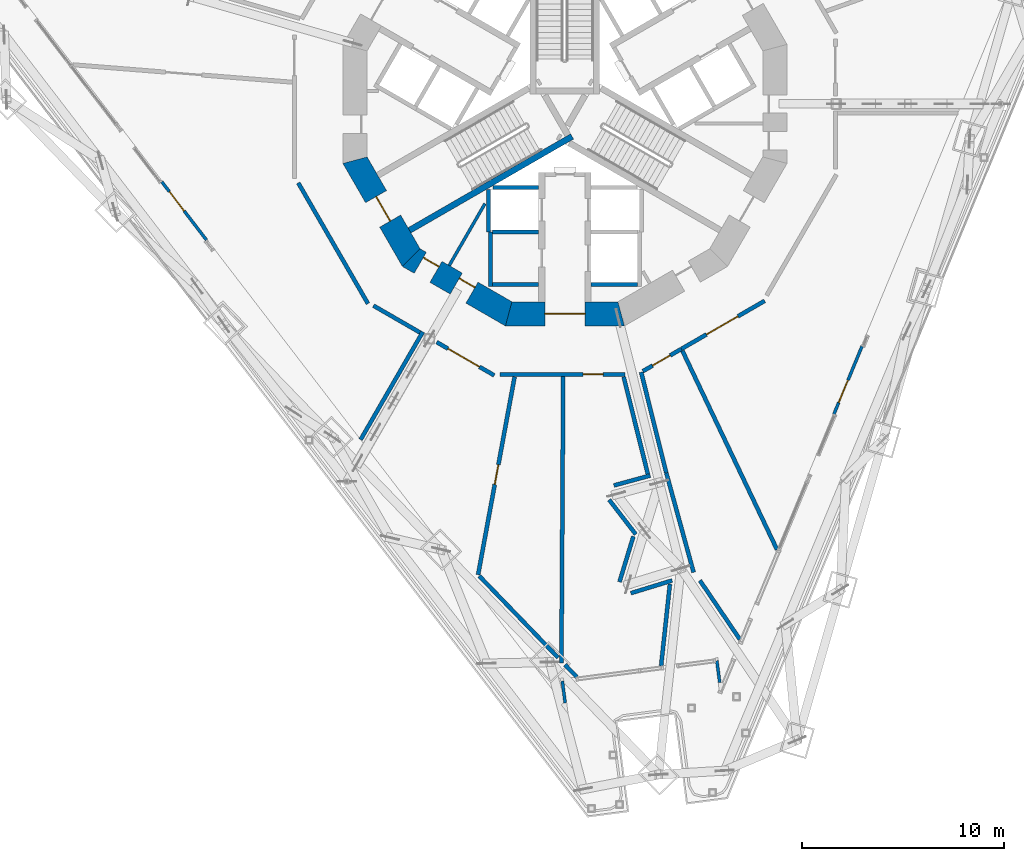
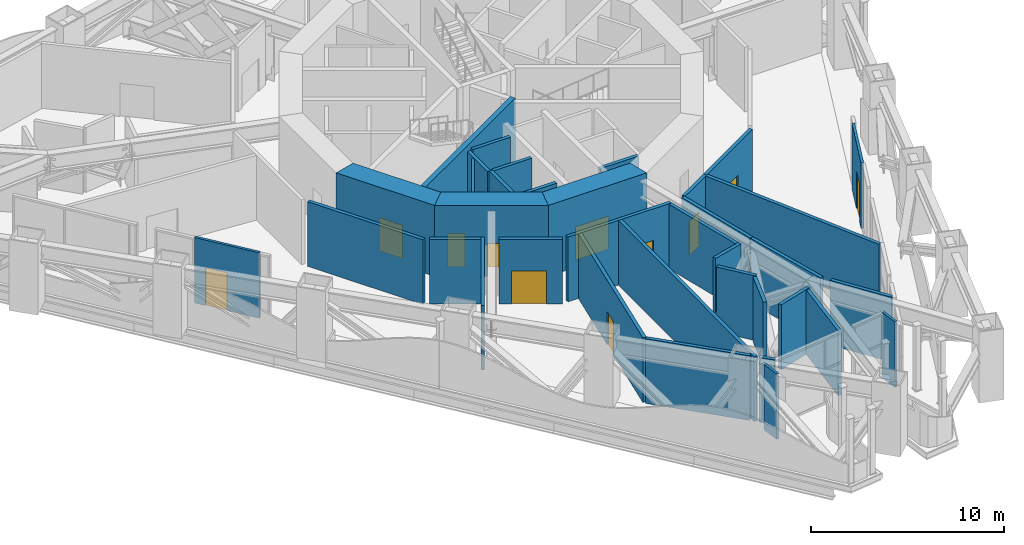
# One storey, part 17 of 31: 36 walls, 11 doors, 11 openings.
"""IFC4 building model written with IfcOpenShell, lengths in metres."""

from ifc_helpers import new_model, si_unit, direction, frame, frame_2d, origin, place, context, subcontext, project, spatial, polyline, rectangle, outline, extrude, material, layer, layer_set, type_object, element, fill, save


model = new_model("IFC4")

# Units and contexts
model_context = context("Model", 3, precision=1e-05, world=origin(), true_north=direction((0.0, 1.0)))
body_context = subcontext(model_context, "Body", "Model", "MODEL_VIEW")
ifc_project = project(units=[si_unit("LENGTHUNIT", "METRE"), si_unit("AREAUNIT", "SQUARE_METRE"), si_unit("VOLUMEUNIT", "CUBIC_METRE"), si_unit("PLANEANGLEUNIT", "RADIAN"), si_unit("MASSUNIT", "GRAM", prefix="KILO")], contexts=[model_context])

# Site, building, storey
site_placement = place(None, origin())
site = spatial("IfcSite", under=ifc_project, at=site_placement, CompositionType="ELEMENT")
building_placement = place(site_placement, origin())
building = spatial("IfcBuilding", under=site, at=building_placement, Name="Trine Commons Tower", CompositionType="ELEMENT")
storey_placement = place(building_placement, frame((0.0, 0.0, 82.800048828125)))
storey = spatial("IfcBuildingStorey", under=building, at=storey_placement, Name="L20", CompositionType="ELEMENT", Elevation=82.800048828125)

# Walls
ifc_material_1 = material(Name="Plasterboard partition on steel studs", Category="steel")
ifc_layer_1 = layer(ifc_material_1, 0.14990234375)
ifc_layer_set_1 = layer_set([ifc_layer_1], Name="Plasterboard partition on steel studs")
wall_type_1 = type_object("IfcWallType", Name="Core room partition 150 mm, EI 60", PredefinedType="PARTITIONING", material=ifc_layer_set_1)
wall_1_placement = place(storey_placement, frame((74.260986328125, 54.48388671875, 0.0), z_axis=(0.0, 0.0, 1.0), x_axis=(0.500062019353, 0.865989593933, 0.0)))
element("IfcWall", 1, at=wall_1_placement, inside=storey, type_object=wall_type_1, Name="Core room partition L20", PredefinedType="PARTITIONING", context=body_context, shape_type="SweptSolid", body=[
    extrude(rectangle(XDim=3.54736328125, YDim=0.14990234375, at=frame_2d((1.773681640625, 0.0))), origin(), (0.0, 0.0, 1.0), 4.14990234375),
])
ifc_material_2 = material(Name="Plasterboard on steel stud", Category="steel")
ifc_layer_2 = layer(ifc_material_2, 0.199951171875)
ifc_layer_set_2 = layer_set([ifc_layer_2], Name="Plasterboard on steel stud")
wall_type_2 = type_object("IfcWallType", Name="Fire wall 200 mm, EI 120", PredefinedType="PARTITIONING", material=ifc_layer_set_2)
wall_2_placement = place(storey_placement, frame((66.775146484375, 58.583251953125, 0.0), z_axis=(0.0, 0.0, 1.0), x_axis=(0.499997544974, -0.866026821189, 0.0)))
element("IfcWall", 2, at=wall_2_placement, inside=storey, type_object=wall_type_2, Name="Partition M20011", PredefinedType="PARTITIONING", context=body_context, shape_type="SweptSolid", body=[
    extrude(rectangle(XDim=6.9140625, YDim=0.199951171875, at=frame_2d((3.45703125, 0.0))), origin(), (0.0, 0.0, 1.0), 4.099853515625),
])
wall_3_placement = place(storey_placement, frame((69.867431640625, 45.849853515625, 0.0), z_axis=(0.0, 0.0, 1.0), x_axis=(0.499984964964, 0.866034084092, 0.0)))
element("IfcWall", 3, at=wall_3_placement, inside=storey, type_object=wall_type_2, Name="Partition M20013", PredefinedType="PARTITIONING", context=body_context, shape_type="SweptSolid", body=[
    extrude(rectangle(XDim=6.172119140625, YDim=0.199951171875, at=frame_2d((3.0859375, 0.0))), origin(), (0.0, 0.0, 1.0), 4.099853515625),
])
wall_4_placement = place(storey_placement, frame((70.50537109375, 52.495361328125, 0.0), z_axis=(0.0, 0.0, 1.0), x_axis=(0.866019327422, -0.500010524421, 0.0)))
element("IfcWall", 4, at=wall_4_placement, inside=storey, type_object=wall_type_2, Name="Partition M20014", PredefinedType="PARTITIONING", context=body_context, shape_type="SweptSolid", body=[
    extrude(rectangle(XDim=2.66552734375, YDim=0.199951171875, at=frame_2d((1.332763671875, 0.0))), origin(), (0.0, 0.0, 1.0), 4.099853515625),
])

# Wall, opening, door
wall_5_placement = place(storey_placement, frame((73.640625, 50.685302734375, 0.0), z_axis=(0.0, 0.0, 1.0), x_axis=(0.865999185644, -0.500045408402, 0.0)))
wall_5 = element("IfcWall", 5, at=wall_5_placement, inside=storey, type_object=wall_type_2, Name="Partition M20017", PredefinedType="PARTITIONING", context=body_context, shape_type="SweptSolid", body=[
    extrude(rectangle(XDim=3.293701171875, YDim=0.199951171875, at=frame_2d((1.64697265625, 0.0))), origin(), (0.0, 0.0, 1.0), 4.099853515625),
])
opening_1_placement = place(wall_5_placement, frame((0.646728515625, 0.0, 0.0)))
opening_1 = element("IfcOpeningElement", 6, at=opening_1_placement, cuts=wall_5, Name="Opening D-M2005", PredefinedType="OPENING", context=body_context, shape_type="SweptSolid", body=[
    extrude(rectangle(XDim=1.800048828125, YDim=2.10009765625, at=frame_2d((0.89990234375, 1.050048828125))), frame((0.0, 0.10986328125, 0.0), z_axis=(0.0, -1.0, 0.0), x_axis=(1.0, 0.0, 0.0)), (0.0, 0.0, 1.0), 0.219970703125),
])
ifc_material_3 = material(Name="Timber fire door set", Category="wood")
door_type_1 = type_object("IfcDoorType", Name="Double swing door 1800x2100, FD60", OperationType="DOUBLE_DOOR_DOUBLE_SWING", PredefinedType="DOOR", material=ifc_material_3)
door_1_placement = place(opening_1_placement, origin())
door_1 = element("IfcDoor", 7, at=door_1_placement, inside=storey, type_object=door_type_1, Name="Door D-M2005", OperationType="DOUBLE_DOOR_DOUBLE_SWING", OverallHeight=2.10009765625, OverallWidth=1.800048828125, PredefinedType="DOOR", context=body_context, shape_type="SweptSolid", body=[
    extrude(rectangle(XDim=1.800048828125, YDim=2.10009765625, at=frame_2d((0.89990234375, 1.050048828125))), frame((0.0, 0.02490234375, 0.0), z_axis=(0.0, -1.0, 0.0), x_axis=(1.0, 0.0, 0.0)), (0.0, 0.0, 1.0), 0.050048828125),
])
fill(opening_1, door_1)

wall_6_placement = place(storey_placement, frame((75.693603515625, 39.148681640625, 0.0), z_axis=(0.0, 0.0, 1.0), x_axis=(0.181360903969, 0.983416606791, 0.0)))
wall_6 = element("IfcWall", 8, at=wall_6_placement, inside=storey, type_object=wall_type_2, Name="Partition M20019", PredefinedType="PARTITIONING", context=body_context, shape_type="SweptSolid", body=[
    extrude(rectangle(XDim=9.987060546875, YDim=0.199951171875, at=frame_2d((4.99365234375, 0.0))), origin(), (0.0, 0.0, 1.0), 4.099853515625),
])
opening_2_placement = place(wall_6_placement, frame((4.553466796875, 0.0, 0.0)))
opening_2 = element("IfcOpeningElement", 9, at=opening_2_placement, cuts=wall_6, Name="Opening D-M2006", PredefinedType="OPENING", context=body_context, shape_type="SweptSolid", body=[
    extrude(rectangle(XDim=1.0, YDim=2.10009765625, at=frame_2d((0.5, 1.050048828125))), frame((0.0, 0.10986328125, 0.0), z_axis=(0.0, -1.0, 0.0), x_axis=(1.0, 0.0, 0.0)), (0.0, 0.0, 1.0), 0.219970703125),
])
door_type_2 = type_object("IfcDoorType", Name="Single swing door 1000x2100, FD60", OperationType="SINGLE_SWING_LEFT", PredefinedType="DOOR", material=ifc_material_3)
door_2_placement = place(opening_2_placement, origin())
door_2 = element("IfcDoor", 10, at=door_2_placement, inside=storey, type_object=door_type_2, Name="Door D-M2006", OperationType="SINGLE_SWING_LEFT", OverallHeight=2.10009765625, OverallWidth=1.0, PredefinedType="DOOR", context=body_context, shape_type="SweptSolid", body=[
    extrude(rectangle(XDim=1.0, YDim=2.10009765625, at=frame_2d((0.5, 1.050048828125))), frame((0.0, 0.02490234375, 0.0), z_axis=(0.0, -1.0, 0.0), x_axis=(1.0, 0.0, 0.0)), (0.0, 0.0, 1.0), 0.050048828125),
])
fill(opening_2, door_2)

# Wall
wall_7_placement = place(storey_placement, frame((75.7509765625, 39.08935546875, 0.0), z_axis=(0.0, 0.0, 1.0), x_axis=(0.694649512255, -0.719348354502, 0.0)))
element("IfcWall", 11, at=wall_7_placement, inside=storey, type_object=wall_type_2, Name="Partition M20020", PredefinedType="PARTITIONING", context=body_context, shape_type="SweptSolid", body=[
    extrude(rectangle(XDim=5.62451171875, YDim=0.199951171875, at=frame_2d((2.812255859375, 0.0))), origin(), (0.0, 0.0, 1.0), 4.099853515625),
])

# Wall, opening, door
wall_8_placement = place(storey_placement, frame((82.980224609375, 49.08837890625, 0.0), z_axis=(0.0, 0.0, 1.0), x_axis=(-1.0, 0.0, 0.0)))
wall_8 = element("IfcWall", 12, at=wall_8_placement, inside=storey, type_object=wall_type_2, Name="Partition M20021", PredefinedType="PARTITIONING", context=body_context, shape_type="SweptSolid", body=[
    extrude(rectangle(XDim=6.20068359375, YDim=0.199951171875, at=frame_2d((3.100341796875, 0.0))), origin(), (0.0, 0.0, 1.0), 4.099853515625),
])
opening_3_placement = place(wall_8_placement, frame((1.082275390625, 0.0, 0.0)))
opening_3 = element("IfcOpeningElement", 13, at=opening_3_placement, cuts=wall_8, Name="Opening D-M2007", PredefinedType="OPENING", context=body_context, shape_type="SweptSolid", body=[
    extrude(rectangle(XDim=1.0, YDim=2.10009765625, at=frame_2d((0.5, 1.050048828125))), frame((0.0, 0.10986328125, 0.0), z_axis=(0.0, -1.0, 0.0), x_axis=(1.0, 0.0, 0.0)), (0.0, 0.0, 1.0), 0.219970703125),
])
door_3_placement = place(opening_3_placement, origin())
door_3 = element("IfcDoor", 14, at=door_3_placement, inside=storey, type_object=door_type_2, Name="Door D-M2007", OperationType="SINGLE_SWING_LEFT", OverallHeight=2.10009765625, OverallWidth=1.0, PredefinedType="DOOR", context=body_context, shape_type="SweptSolid", body=[
    extrude(rectangle(XDim=1.0, YDim=2.10009765625, at=frame_2d((0.5, 1.050048828125))), frame((0.0, 0.02490234375, 0.0), z_axis=(0.0, -1.0, 0.0), x_axis=(1.0, 0.0, 0.0)), (0.0, 0.0, 1.0), 0.050048828125),
])
fill(opening_3, door_3)

# Walls
wall_9_placement = place(storey_placement, frame((79.826171875, 34.768798828125, 0.0), z_axis=(0.0, 0.0, 1.0), x_axis=(0.006266939653, 0.999980362541, 0.0)))
element("IfcWall", 15, at=wall_9_placement, inside=storey, type_object=wall_type_2, Name="Partition M20023", PredefinedType="PARTITIONING", context=body_context, shape_type="SweptSolid", body=[
    extrude(rectangle(XDim=14.21923828125, YDim=0.199951171875, at=frame_2d((7.109619140625, 0.0))), origin(), (0.0, 0.0, 1.0), 4.099853515625),
])
wall_10_placement = place(storey_placement, frame((79.99853515625, 34.69091796875, 0.0), z_axis=(0.0, 0.0, 1.0), x_axis=(0.694743754298, -0.71925733633, 0.0)))
element("IfcWall", 16, at=wall_10_placement, inside=storey, type_object=wall_type_2, Name="Partition M20024", PredefinedType="PARTITIONING", context=body_context, shape_type="SweptSolid", body=[
    extrude(rectangle(XDim=0.846435546875, YDim=0.199951171875, at=frame_2d((0.42333984375, 0.0))), origin(), (0.0, 0.0, 1.0), 4.099853515625),
])
wall_11_placement = place(storey_placement, frame((82.19189453125, 42.869873046875, 0.0), z_axis=(0.0, 0.0, 1.0), x_axis=(0.610534421129, -0.791989722545, 0.0)))
element("IfcWall", 17, at=wall_11_placement, inside=storey, type_object=wall_type_2, Name="Partition M20025", PredefinedType="PARTITIONING", context=body_context, shape_type="SweptSolid", body=[
    extrude(rectangle(XDim=2.162109375, YDim=0.199951171875, at=frame_2d((1.0810546875, 0.0))), origin(), (0.0, 0.0, 1.0), 4.099853515625),
])
wall_12_placement = place(storey_placement, frame((82.4296875, 43.57861328125, 0.0), z_axis=(0.0, 0.0, 1.0), x_axis=(0.964688480545, 0.263393499356, 0.0)))
element("IfcWall", 18, at=wall_12_placement, inside=storey, type_object=wall_type_2, Name="Partition M20026", PredefinedType="PARTITIONING", context=body_context, shape_type="SweptSolid", body=[
    extrude(rectangle(XDim=1.87060546875, YDim=0.199951171875, at=frame_2d((0.935302734375, 0.0))), origin(), (0.0, 0.0, 1.0), 4.099853515625),
])
wall_13_placement = place(storey_placement, frame((82.706787109375, 38.79638671875, 0.0), z_axis=(0.0, 0.0, 1.0), x_axis=(0.291639627834, 0.956528267997, 0.0)))
element("IfcWall", 19, at=wall_13_placement, inside=storey, type_object=wall_type_2, Name="Partition M20027", PredefinedType="PARTITIONING", context=body_context, shape_type="SweptSolid", body=[
    extrude(rectangle(XDim=2.357421875, YDim=0.199951171875, at=frame_2d((1.1787109375, 0.0))), origin(), (0.0, 0.0, 1.0), 4.099853515625),
])
wall_14_placement = place(storey_placement, frame((82.91162109375, 48.962158203125, 0.0), z_axis=(0.0, 0.0, 1.0), x_axis=(0.241910840869, -0.970298482463, 0.0)))
element("IfcWall", 20, at=wall_14_placement, inside=storey, type_object=wall_type_2, Name="Partition M20028", PredefinedType="PARTITIONING", context=body_context, shape_type="SweptSolid", body=[
    extrude(rectangle(XDim=4.96533203125, YDim=0.199951171875, at=frame_2d((2.482666015625, 0.0))), origin(), (0.0, 0.0, 1.0), 4.099853515625),
])
wall_15_placement = place(storey_placement, frame((83.26953125, 38.23681640625, 0.0), z_axis=(0.0, 0.0, 1.0), x_axis=(0.956061872921, 0.293164962344, 0.0)))
element("IfcWall", 21, at=wall_15_placement, inside=storey, type_object=wall_type_2, Name="Partition M20029", PredefinedType="PARTITIONING", context=body_context, shape_type="SweptSolid", body=[
    extrude(rectangle(XDim=2.142822265625, YDim=0.199951171875, at=frame_2d((1.0712890625, 0.0))), origin(), (0.0, 0.0, 1.0), 4.099853515625),
])

# Wall, opening, door
wall_16_placement = place(storey_placement, frame((85.77685546875, 50.348876953125, 0.0), z_axis=(0.0, 0.0, 1.0), x_axis=(-0.866045785103, -0.499964696859, 0.0)))
wall_16 = element("IfcWall", 22, at=wall_16_placement, inside=storey, type_object=wall_type_2, Name="Partition M20031", PredefinedType="PARTITIONING", context=body_context, shape_type="SweptSolid", body=[
    extrude(rectangle(XDim=2.210205078125, YDim=0.199951171875, at=frame_2d((1.10498046875, 0.0))), origin(), (0.0, 0.0, 1.0), 4.099853515625),
])
opening_4_placement = place(wall_16_placement, frame((0.650146484375, 0.0, 0.0)))
opening_4 = element("IfcOpeningElement", 23, at=opening_4_placement, cuts=wall_16, Name="Opening D-M2009", PredefinedType="OPENING", context=body_context, shape_type="SweptSolid", body=[
    extrude(rectangle(XDim=1.0, YDim=2.10009765625, at=frame_2d((0.5, 1.050048828125))), frame((0.0, 0.10986328125, 0.0), z_axis=(0.0, -1.0, 0.0), x_axis=(1.0, 0.0, 0.0)), (0.0, 0.0, 1.0), 0.219970703125),
])
door_4_placement = place(opening_4_placement, origin())
door_4 = element("IfcDoor", 24, at=door_4_placement, inside=storey, type_object=door_type_2, Name="Door D-M2009", OperationType="SINGLE_SWING_LEFT", OverallHeight=2.10009765625, OverallWidth=1.0, PredefinedType="DOOR", context=body_context, shape_type="SweptSolid", body=[
    extrude(rectangle(XDim=1.0, YDim=2.10009765625, at=frame_2d((0.5, 1.050048828125))), frame((0.0, 0.02490234375, 0.0), z_axis=(0.0, -1.0, 0.0), x_axis=(1.0, 0.0, 0.0)), (0.0, 0.0, 1.0), 0.050048828125),
])
fill(opening_4, door_4)

# Walls
wall_17_placement = place(storey_placement, frame((83.78125, 49.1943359375, 0.0), z_axis=(0.0, 0.0, 1.0), x_axis=(0.241909834927, -0.97029873326, 0.0)))
element("IfcWall", 25, at=wall_17_placement, inside=storey, type_object=wall_type_2, Name="Partition M20032", PredefinedType="PARTITIONING", context=body_context, shape_type="SweptSolid", body=[
    extrude(rectangle(XDim=5.140869140625, YDim=0.199951171875, at=frame_2d((2.5703125, 0.0))), origin(), (0.0, 0.0, 1.0), 4.099853515625),
])
wall_18_placement = place(storey_placement, frame((84.76953125, 34.632568359375, 0.0), z_axis=(0.0, 0.0, 1.0), x_axis=(0.107163387564, 0.994241423582, 0.0)))
element("IfcWall", 26, at=wall_18_placement, inside=storey, type_object=wall_type_2, Name="Partition M20033", PredefinedType="PARTITIONING", context=body_context, shape_type="SweptSolid", body=[
    extrude(rectangle(XDim=4.07568359375, YDim=0.199951171875, at=frame_2d((2.037841796875, 0.0))), origin(), (0.0, 0.0, 1.0), 4.099853515625),
])
wall_19_placement = place(storey_placement, frame((85.0263671875, 44.201171875, 0.0), z_axis=(0.0, 0.0, 1.0), x_axis=(0.264857995265, -0.964287427246, 0.0)))
element("IfcWall", 27, at=wall_19_placement, inside=storey, type_object=wall_type_2, Name="Partition M20034", PredefinedType="PARTITIONING", context=body_context, shape_type="SweptSolid", body=[
    extrude(rectangle(XDim=5.114013671875, YDim=0.199951171875, at=frame_2d((2.55712890625, 0.0))), origin(), (0.0, 0.0, 1.0), 4.099853515625),
])

# Wall, opening, door
wall_20_placement = place(storey_placement, frame((85.78076171875, 50.351318359375, 0.0), z_axis=(0.0, 0.0, 1.0), x_axis=(0.866025923222, 0.499999100306, 0.0)))
wall_20 = element("IfcWall", 28, at=wall_20_placement, inside=storey, type_object=wall_type_2, Name="Partition M20035", PredefinedType="PARTITIONING", context=body_context, shape_type="SweptSolid", body=[
    extrude(rectangle(XDim=4.76171875, YDim=0.199951171875, at=frame_2d((2.380859375, 0.0))), origin(), (0.0, 0.0, 1.0), 4.099853515625),
])
opening_5_placement = place(wall_20_placement, frame((1.430908203125, 0.0, 0.0)))
opening_5 = element("IfcOpeningElement", 29, at=opening_5_placement, cuts=wall_20, Name="Opening D-M2010", PredefinedType="OPENING", context=body_context, shape_type="SweptSolid", body=[
    extrude(rectangle(XDim=1.800048828125, YDim=2.10009765625, at=frame_2d((0.89990234375, 1.050048828125))), frame((0.0, 0.10986328125, 0.0), z_axis=(0.0, -1.0, 0.0), x_axis=(1.0, 0.0, 0.0)), (0.0, 0.0, 1.0), 0.219970703125),
])
door_5_placement = place(opening_5_placement, origin())
door_5 = element("IfcDoor", 30, at=door_5_placement, inside=storey, type_object=door_type_1, Name="Door D-M2010", OperationType="DOUBLE_DOOR_DOUBLE_SWING", OverallHeight=2.10009765625, OverallWidth=1.800048828125, PredefinedType="DOOR", context=body_context, shape_type="SweptSolid", body=[
    extrude(rectangle(XDim=1.800048828125, YDim=2.10009765625, at=frame_2d((0.89990234375, 1.050048828125))), frame((0.0, 0.02490234375, 0.0), z_axis=(0.0, -1.0, 0.0), x_axis=(1.0, 0.0, 0.0)), (0.0, 0.0, 1.0), 0.050048828125),
])
fill(opening_5, door_5)

# Walls
wall_21_placement = place(storey_placement, frame((85.82763671875, 50.253662109375, 0.0), z_axis=(0.0, 0.0, 1.0), x_axis=(0.429685296125, -0.902978707553, 0.0)))
element("IfcWall", 31, at=wall_21_placement, inside=storey, type_object=wall_type_2, Name="Partition M20036", PredefinedType="PARTITIONING", context=body_context, shape_type="SweptSolid", body=[
    extrude(rectangle(XDim=10.9169921875, YDim=0.199951171875, at=frame_2d((5.45849609375, 0.0))), origin(), (0.0, 0.0, 1.0), 4.099853515625),
])
wall_22_placement = place(storey_placement, frame((86.693603515625, 38.8662109375, 0.0), z_axis=(0.0, 0.0, 1.0), x_axis=(0.561359225684, -0.827572244423, 0.0)))
element("IfcWall", 32, at=wall_22_placement, inside=storey, type_object=wall_type_2, Name="Partition M20037", PredefinedType="PARTITIONING", context=body_context, shape_type="SweptSolid", body=[
    extrude(rectangle(XDim=3.527099609375, YDim=0.199951171875, at=frame_2d((1.763671875, 0.0))), origin(), (0.0, 0.0, 1.0), 4.099853515625),
])

# Wall, opening, door
ifc_material_4 = material(Name="Aluminium-framed insulated wall panel", Category="aluminium")
ifc_layer_3 = layer(ifc_material_4, 0.14990234375)
ifc_layer_set_3 = layer_set([ifc_layer_3], Name="Aluminium-framed insulated wall panel")
wall_type_3 = type_object("IfcWallType", Name="Glazed entrance wall 150, EI 60", PredefinedType="SOLIDWALL", material=ifc_layer_set_3)
wall_23_placement = place(storey_placement, frame((94.73388671875, 50.48095703125, 0.0), z_axis=(0.0, 0.0, 1.0), x_axis=(-0.382673332083, -0.92388371612, 0.0)))
wall_23 = element("IfcWall", 33, at=wall_23_placement, inside=storey, type_object=wall_type_3, Name="Glazed entrance wall L20 F2 9", PredefinedType="SOLIDWALL", context=body_context, shape_type="SweptSolid", body=[
    extrude(rectangle(XDim=3.6435546875, YDim=0.14990234375, at=frame_2d((1.82177734375, 0.0))), origin(), (0.0, 0.0, 1.0), 4.14990234375),
])
opening_6_placement = place(wall_23_placement, frame((1.82177734375, 0.0, 0.0)))
opening_6 = element("IfcOpeningElement", 34, at=opening_6_placement, cuts=wall_23, Name="Opening SD-L20-F2-09", PredefinedType="OPENING", context=body_context, shape_type="SweptSolid", body=[
    extrude(rectangle(XDim=1.199951171875, YDim=2.39990234375, at=frame_2d((0.60009765625, 1.199951171875))), frame((0.0, 0.0849609375, 0.0), z_axis=(0.0, -1.0, 0.0), x_axis=(1.0, 0.0, 0.0)), (0.0, 0.0, 1.0), 0.169921875),
])
ifc_material_5 = material(Name="Anodised aluminium frame with double glazing", Category="aluminium")
door_type_3 = type_object("IfcDoorType", Name="Sliding door 1200x2400", OperationType="SLIDING_TO_LEFT", PredefinedType="DOOR", material=ifc_material_5)
door_6_placement = place(opening_6_placement, origin())
door_6 = element("IfcDoor", 35, at=door_6_placement, inside=storey, type_object=door_type_3, Name="Loggia door L20 F2 9", OperationType="SLIDING_TO_LEFT", OverallHeight=2.39990234375, OverallWidth=1.199951171875, PredefinedType="DOOR", context=body_context, shape_type="SweptSolid", body=[
    extrude(rectangle(XDim=1.199951171875, YDim=2.39990234375, at=frame_2d((0.60009765625, 1.199951171875))), frame((0.0, 0.02490234375, 0.0), z_axis=(0.0, -1.0, 0.0), x_axis=(1.0, 0.0, 0.0)), (0.0, 0.0, 1.0), 0.050048828125),
])
fill(opening_6, door_6)

wall_24_placement = place(storey_placement, frame((62.224365234375, 55.74951171875, 0.0), z_axis=(0.0, 0.0, 1.0), x_axis=(-0.608764850532, 0.793350714852, 0.0)))
wall_24 = element("IfcWall", 36, at=wall_24_placement, inside=storey, type_object=wall_type_3, Name="Glazed entrance wall L20 F3 9", PredefinedType="SOLIDWALL", context=body_context, shape_type="SweptSolid", body=[
    extrude(rectangle(XDim=3.643798828125, YDim=0.14990234375, at=frame_2d((1.82177734375, 0.0))), origin(), (0.0, 0.0, 1.0), 4.14990234375),
])
opening_7_placement = place(wall_24_placement, frame((1.82177734375, 0.0, 0.0)))
opening_7 = element("IfcOpeningElement", 37, at=opening_7_placement, cuts=wall_24, Name="Opening SD-L20-F3-09", PredefinedType="OPENING", context=body_context, shape_type="SweptSolid", body=[
    extrude(rectangle(XDim=1.199951171875, YDim=2.39990234375, at=frame_2d((0.60009765625, 1.199951171875))), frame((0.0, 0.0849609375, 0.0), z_axis=(0.0, -1.0, 0.0), x_axis=(1.0, 0.0, 0.0)), (0.0, 0.0, 1.0), 0.169921875),
])
door_7_placement = place(opening_7_placement, origin())
door_7 = element("IfcDoor", 38, at=door_7_placement, inside=storey, type_object=door_type_3, Name="Loggia door L20 F3 9", OperationType="SLIDING_TO_LEFT", OverallHeight=2.39990234375, OverallWidth=1.199951171875, PredefinedType="DOOR", context=body_context, shape_type="SweptSolid", body=[
    extrude(rectangle(XDim=1.199951171875, YDim=2.39990234375, at=frame_2d((0.60009765625, 1.199951171875))), frame((0.0, 0.02490234375, 0.0), z_axis=(0.0, -1.0, 0.0), x_axis=(1.0, 0.0, 0.0)), (0.0, 0.0, 1.0), 0.050048828125),
])
fill(opening_7, door_7)

# Walls
ifc_layer_4 = layer(ifc_material_4, 0.14990234375)
ifc_layer_set_4 = layer_set([ifc_layer_4], Name="Aluminium-framed insulated wall panel")
wall_type_4 = type_object("IfcWallType", Name="Glazed frame wall 150, EI 60", PredefinedType="SOLIDWALL", material=ifc_layer_set_4)
wall_25_placement = place(storey_placement, frame((87.6953125, 33.6591796875, 0.0), z_axis=(0.0, 0.0, 1.0), x_axis=(-0.130510858064, 0.991446880033, 0.0)))
element("IfcWall", 39, at=wall_25_placement, inside=storey, type_object=wall_type_4, Name="Glazed frame wall L20 R9", PredefinedType="SOLIDWALL", context=body_context, shape_type="SweptSolid", body=[
    extrude(outline(polyline([(0.1494140625, 0.074951171875), (0.1494140625, -0.074951171875), (1.235107421875, -0.074951171875), (1.235107421875, 0.074951171875), (0.1494140625, 0.074951171875)])), origin(), (0.0, 0.0, 1.0), 4.14990234375),
])
wall_26_placement = place(storey_placement, frame((79.85595703125, 33.983642578125, 0.0), z_axis=(0.0, 0.0, 1.0), x_axis=(0.130510858064, -0.991446880033, 0.0)))
element("IfcWall", 40, at=wall_26_placement, inside=storey, type_object=wall_type_4, Name="Glazed frame wall L20 R11", PredefinedType="SOLIDWALL", context=body_context, shape_type="SweptSolid", body=[
    extrude(outline(polyline([(0.110107421875, 0.074951171875), (0.110107421875, -0.074951171875), (1.19580078125, -0.074951171875), (1.19580078125, 0.074951171875), (0.110107421875, 0.074951171875)])), origin(), (0.0, 0.0, 1.0), 4.14990234375),
])

# Wall, opening, door
ifc_material_6 = material(Name="Concrete C70/85", Category="concrete")
ifc_layer_5 = layer(ifc_material_6, 1.199951171875)
ifc_layer_set_5 = layer_set([ifc_layer_5], Name="Concrete C70/85")
wall_type_5 = type_object("IfcWallType", Name="RC shear wall 1200 mm, C70/85", PredefinedType="SHEAR", material=ifc_layer_set_5)
wall_27_placement = place(storey_placement, frame((69.508056640625, 59.849609375, 0.0), z_axis=(0.0, 0.0, 1.0), x_axis=(0.499979111662, -0.866037463336, 0.0)))
wall_27 = element("IfcWall", 41, at=wall_27_placement, inside=storey, type_object=wall_type_5, Name="Core wall CWC-08 L20", PredefinedType="SHEAR", context=body_context, shape_type="SweptSolid", body=[
    extrude(outline(polyline([(0.0, -0.60009765625), (5.901123046875, -0.60009765625), (5.57958984375, 0.60009765625), (0.321533203125, 0.60009765625), (0.0, -0.60009765625)])), origin(), (0.0, 0.0, 1.0), 4.5),
])
opening_8_placement = place(wall_27_placement, frame((2.25048828125, 0.0, 0.0)))
opening_8 = element("IfcOpeningElement", 42, at=opening_8_placement, cuts=wall_27, Name="Opening K08.02", PredefinedType="OPENING", context=body_context, shape_type="SweptSolid", body=[
    extrude(rectangle(XDim=1.39990234375, YDim=2.10009765625, at=frame_2d((0.699951171875, 1.050048828125))), frame((0.0, 0.60986328125, 0.0), z_axis=(0.0, -1.0, 0.0), x_axis=(1.0, 0.0, 0.0)), (0.0, 0.0, 1.0), 1.219970703125),
])
ifc_material_7 = material(Name="Steel door leaves, fire-rated", Category="steel")
door_type_4 = type_object("IfcDoorType", Name="Stair door, double leaf 1400 x 2100, FD90", OperationType="DOUBLE_DOOR_SINGLE_SWING", PredefinedType="DOOR", material=ifc_material_7)
door_8_placement = place(opening_8_placement, origin())
door_8 = element("IfcDoor", 43, at=door_8_placement, inside=storey, type_object=door_type_4, Name="Stair door to Exit stair ST2A L20", OperationType="DOUBLE_DOOR_SINGLE_SWING", OverallHeight=2.10009765625, OverallWidth=1.39990234375, PredefinedType="DOOR", context=body_context, shape_type="SweptSolid", body=[
    extrude(rectangle(XDim=1.39990234375, YDim=2.10009765625, at=frame_2d((0.699951171875, 1.050048828125))), frame((0.0, 0.02490234375, 0.0), z_axis=(0.0, -1.0, 0.0), x_axis=(1.0, 0.0, 0.0)), (0.0, 0.0, 1.0), 0.050048828125),
])
fill(opening_8, door_8)

# Wall, openings, doors
wall_28_placement = place(storey_placement, frame((72.239013671875, 54.95849609375, 0.0), z_axis=(0.0, 0.0, 1.0), x_axis=(0.866037463336, -0.499979111662, 0.0)))
wall_28 = element("IfcWall", 44, at=wall_28_placement, inside=storey, type_object=wall_type_5, Name="Core wall CWC-09 L20", PredefinedType="SHEAR", context=body_context, shape_type="SweptSolid", body=[
    extrude(outline(polyline([(0.0, -0.60009765625), (5.901123046875, -0.60009765625), (5.57958984375, 0.60009765625), (0.321533203125, 0.60009765625), (0.0, -0.60009765625)])), origin(), (0.0, 0.0, 1.0), 4.5),
])
opening_9_placement = place(wall_28_placement, frame((0.676513671875, 0.0, 0.0)))
opening_9 = element("IfcOpeningElement", 45, at=opening_9_placement, cuts=wall_28, Name="Opening K08.15", PredefinedType="OPENING", context=body_context, shape_type="SweptSolid", body=[
    extrude(rectangle(XDim=0.89990234375, YDim=2.10009765625, at=frame_2d((0.449951171875, 1.050048828125))), frame((0.0, 0.60986328125, 0.0), z_axis=(0.0, -1.0, 0.0), x_axis=(1.0, 0.0, 0.0)), (0.0, 0.0, 1.0), 1.219970703125),
])
opening_10_placement = place(wall_28_placement, frame((2.738525390625, 0.0, 0.0)))
opening_10 = element("IfcOpeningElement", 46, at=opening_10_placement, cuts=wall_28, Name="Opening K08.16", PredefinedType="OPENING", context=body_context, shape_type="SweptSolid", body=[
    extrude(rectangle(XDim=0.89990234375, YDim=2.10009765625, at=frame_2d((0.449951171875, 1.050048828125))), frame((0.0, 0.60986328125, 0.0), z_axis=(0.0, -1.0, 0.0), x_axis=(1.0, 0.0, 0.0)), (0.0, 0.0, 1.0), 1.219970703125),
])
ifc_material_8 = material(Name="Steel door leaf, fire-rated", Category="steel")
door_type_5 = type_object("IfcDoorType", Name="Core room door, single leaf 900 x 2100, FD30S", OperationType="SINGLE_SWING_LEFT", PredefinedType="DOOR", material=ifc_material_8)
door_9_placement = place(opening_9_placement, origin())
door_9 = element("IfcDoor", 47, at=door_9_placement, inside=storey, type_object=door_type_5, Name="Door to Pump room L20", OperationType="SINGLE_SWING_LEFT", OverallHeight=2.10009765625, OverallWidth=0.89990234375, PredefinedType="DOOR", context=body_context, shape_type="SweptSolid", body=[
    extrude(rectangle(XDim=0.89990234375, YDim=2.10009765625, at=frame_2d((0.449951171875, 1.050048828125))), frame((0.0, 0.3251953125, 0.0), z_axis=(0.0, -1.0, 0.0), x_axis=(1.0, 0.0, 0.0)), (0.0, 0.0, 1.0), 0.050048828125),
])
fill(opening_9, door_9)
door_10_placement = place(opening_10_placement, origin())
door_10 = element("IfcDoor", 48, at=door_10_placement, inside=storey, type_object=door_type_5, Name="Door to Comms room L20", OperationType="SINGLE_SWING_RIGHT", OverallHeight=2.10009765625, OverallWidth=0.89990234375, PredefinedType="DOOR", context=body_context, shape_type="SweptSolid", body=[
    extrude(rectangle(XDim=0.89990234375, YDim=2.10009765625, at=frame_2d((0.449951171875, 1.050048828125))), frame((0.0, 0.3251953125, 0.0), z_axis=(0.0, -1.0, 0.0), x_axis=(1.0, 0.0, 0.0)), (0.0, 0.0, 1.0), 0.050048828125),
])
fill(opening_10, door_10)

# Wall, opening, door
wall_29_placement = place(storey_placement, frame((77.049560546875, 52.08837890625, 0.0), z_axis=(0.0, 0.0, 1.0), x_axis=(1.0, 0.0, 0.0)))
wall_29 = element("IfcWall", 49, at=wall_29_placement, inside=storey, type_object=wall_type_5, Name="Core wall CWC-10 L20", PredefinedType="SHEAR", context=body_context, shape_type="SweptSolid", body=[
    extrude(outline(polyline([(0.0, -0.60009765625), (5.90087890625, -0.60009765625), (5.57958984375, 0.60009765625), (0.321533203125, 0.60009765625), (0.0, -0.60009765625)])), origin(), (0.0, 0.0, 1.0), 4.5),
])
opening_11_placement = place(wall_29_placement, frame((1.950439453125, 0.0, 0.0)))
opening_11 = element("IfcOpeningElement", 50, at=opening_11_placement, cuts=wall_29, Name="Opening K08.08", PredefinedType="OPENING", context=body_context, shape_type="SweptSolid", body=[
    extrude(rectangle(XDim=2.0, YDim=2.10009765625, at=frame_2d((1.0, 1.050048828125))), frame((0.0, 0.60986328125, 0.0), z_axis=(0.0, -1.0, 0.0), x_axis=(1.0, 0.0, 0.0)), (0.0, 0.0, 1.0), 1.219970703125),
])
door_type_6 = type_object("IfcDoorType", Name="Lobby door, double leaf 2000 x 2100, FD60", OperationType="DOUBLE_DOOR_SINGLE_SWING", PredefinedType="DOOR", material=ifc_material_7)
door_11_placement = place(opening_11_placement, origin())
door_11 = element("IfcDoor", 51, at=door_11_placement, inside=storey, type_object=door_type_6, Name="Lobby door, Service and firefighting lobby L20", OperationType="DOUBLE_DOOR_SINGLE_SWING", OverallHeight=2.10009765625, OverallWidth=2.0, PredefinedType="DOOR", context=body_context, shape_type="SweptSolid", body=[
    extrude(rectangle(XDim=2.0, YDim=2.10009765625, at=frame_2d((1.0, 1.050048828125))), frame((0.0, 0.02490234375, 0.0), z_axis=(0.0, -1.0, 0.0), x_axis=(1.0, 0.0, 0.0)), (0.0, 0.0, 1.0), 0.050048828125),
])
fill(opening_11, door_11)

# Walls
ifc_layer_6 = layer(ifc_material_6, 0.300048828125)
ifc_layer_set_6 = layer_set([ifc_layer_6], Name="Concrete C70/85")
wall_type_6 = type_object("IfcWallType", Name="RC shear wall 300 mm, C70/85", PredefinedType="SHEAR", material=ifc_layer_set_6)
wall_30_placement = place(storey_placement, frame((80.35400390625, 60.885986328125, 0.0), z_axis=(0.0, 0.0, 1.0), x_axis=(-0.865986456211, -0.50006745311, 0.0)))
element("IfcWall", 52, at=wall_30_placement, inside=storey, type_object=wall_type_6, Name="Core cross wall SWA-14 L20", PredefinedType="SHEAR", context=body_context, shape_type="SweptSolid", body=[
    extrude(rectangle(XDim=9.310791015625, YDim=0.300048828125, at=frame_2d((4.6552734375, 0.0))), origin(), (0.0, 0.0, 1.0), 4.5),
])
ifc_material_9 = material(Name="Fire-rated gypsum shaft wall system")
ifc_layer_7 = layer(ifc_material_9, 0.199951171875)
ifc_layer_set_7 = layer_set([ifc_layer_7], Name="Fire-rated gypsum shaft wall system")
wall_type_7 = type_object("IfcWallType", Name="Shaft wall 200 mm, EI 120", PredefinedType="PARTITIONING", material=ifc_layer_set_7)
wall_31_placement = place(storey_placement, frame((76.199951171875, 58.256103515625, 0.0), z_axis=(0.0, 0.0, 1.0), x_axis=(0.0, -1.0, 0.0)))
element("IfcWall", 53, at=wall_31_placement, inside=storey, type_object=wall_type_7, Name="Shaft wall L20", PredefinedType="PARTITIONING", context=body_context, shape_type="SweptSolid", body=[
    extrude(rectangle(XDim=2.106201171875, YDim=0.199951171875, at=frame_2d((1.05322265625, 0.0))), origin(), (0.0, 0.0, 1.0), 4.14990234375),
])
wall_32_placement = place(storey_placement, frame((76.300048828125, 56.14990234375, 0.0), z_axis=(0.0, 0.0, 1.0), x_axis=(0.0, -1.0, 0.0)))
element("IfcWall", 54, at=wall_32_placement, inside=storey, type_object=wall_type_7, Name="Shaft wall L20", PredefinedType="PARTITIONING", context=body_context, shape_type="SweptSolid", body=[
    extrude(rectangle(XDim=2.699951171875, YDim=0.199951171875, at=frame_2d((1.35009765625, 0.0))), origin(), (0.0, 0.0, 1.0), 4.14990234375),
])
for number, where, z_axis, x_axis, name in (
    (55, (78.699951171875, 53.550048828125, 0.0), (0.0, 0.0, 1.0), (-1.0, 0.0, 0.0), "Shaft wall L20"),
    (56, (78.699951171875, 56.14990234375, 0.0), (0.0, 0.0, 1.0), (-1.0, 0.0, 0.0), "Shaft wall L20"),
):
    element("IfcWall", number, at=place(storey_placement, frame(where, z_axis=z_axis, x_axis=x_axis)), inside=storey, type_object=wall_type_7, Name=name, PredefinedType="PARTITIONING", context=body_context, shape_type="SweptSolid", body=[
        extrude(rectangle(XDim=2.300048828125, YDim=0.199951171875, at=frame_2d((1.14990234375, 0.0))), origin(), (0.0, 0.0, 1.0), 4.14990234375),
    ])
wall_33_placement = place(storey_placement, frame((78.699951171875, 58.35009765625, 0.0), z_axis=(0.0, 0.0, 1.0), x_axis=(-1.0, 0.0, 0.0)))
element("IfcWall", 57, at=wall_33_placement, inside=storey, type_object=wall_type_7, Name="Shaft wall L20", PredefinedType="PARTITIONING", context=body_context, shape_type="SweptSolid", body=[
    extrude(rectangle(XDim=2.264892578125, YDim=0.199951171875, at=frame_2d((1.13232421875, 0.0))), origin(), (0.0, 0.0, 1.0), 4.14990234375),
])
wall_34_placement = place(storey_placement, frame((81.300048828125, 53.550048828125, 0.0), z_axis=(0.0, 0.0, 1.0), x_axis=(1.0, 0.0, 0.0)))
element("IfcWall", 58, at=wall_34_placement, inside=storey, type_object=wall_type_7, Name="Shaft wall L20", PredefinedType="PARTITIONING", context=body_context, shape_type="SweptSolid", body=[
    extrude(rectangle(XDim=2.300048828125, YDim=0.199951171875, at=frame_2d((1.14990234375, 0.0))), origin(), (0.0, 0.0, 1.0), 4.14990234375),
])

save(model, "model.ifc")
